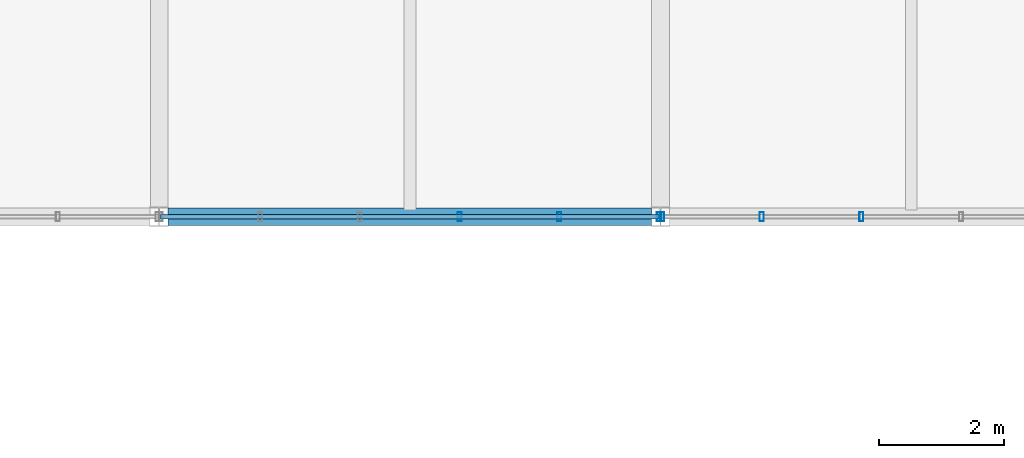
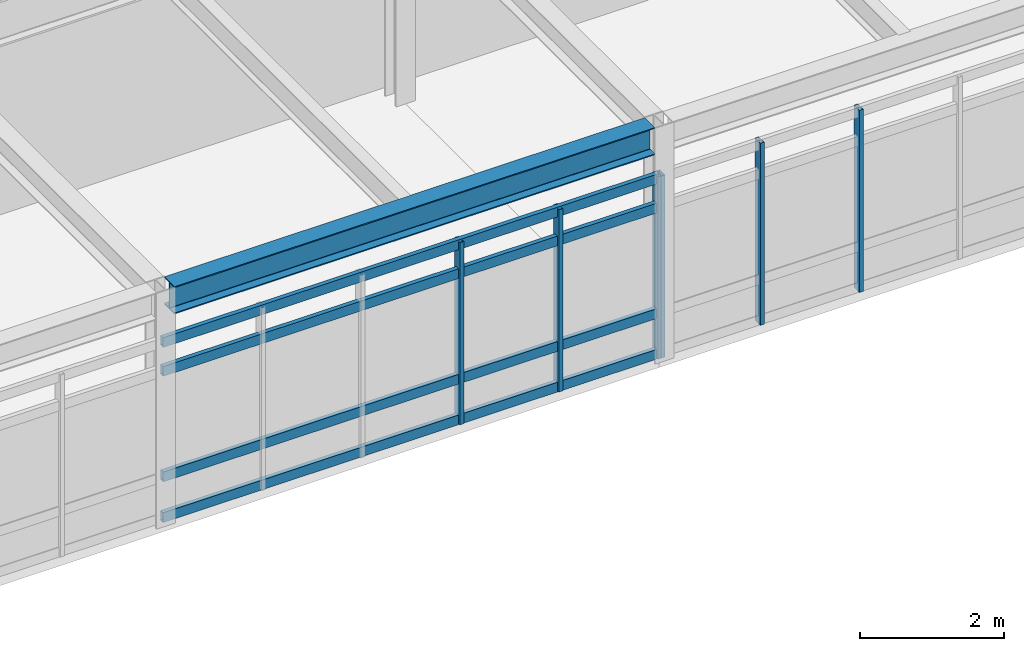
# One storey, part 23 of 45: 10 members, 1 beam, 2 elements without a shape of their own.
"""IFC4 building model written with IfcOpenShell, lengths in metres."""

import ifcopenshell
import ifcopenshell.guid

model = None  # the IFC model being written
_history = None  # IfcOwnerHistory: only IFC2X3 demands one
_inside = {}  # id of a spatial element -> (the spatial element, [elements in it])
_under = {}  # id of a project, library or spatial element -> (it, [spatial elements below it])
_declared = {}  # id of a project -> (the project, [libraries it declares])
_typed = {}  # id of a type object -> (the type object, [elements of that type])
_made_of = {}  # id of a material, layer set ... -> (it, [elements and type objects made of it])


def new_model(schema):
    """Start an empty IFC model of exactly this schema.

    Asked for "IFC4X3", IfcOpenShell would pick the latest addendum, in which some entities
    have other attributes; the version numbers below select the first issue.
    IFC2X3 requires an IfcOwnerHistory on every rooted entity: one is made here for all.
    """
    global model, _history
    if schema == "IFC4X3":
        model = ifcopenshell.file(schema_version=(4, 3, 0, 0))
    else:
        model = ifcopenshell.file(schema=schema)
    _inside.clear()
    _under.clear()
    _declared.clear()
    _typed.clear()
    _made_of.clear()
    _history = None
    if model.schema == "IFC2X3":
        org = make("IfcOrganization", Name="unknown")
        user = make(
            "IfcPersonAndOrganization",
            ThePerson=make("IfcPerson", FamilyName="unknown"),
            TheOrganization=org,
        )
        app = make(
            "IfcApplication",
            ApplicationDeveloper=org,
            Version="unknown",
            ApplicationFullName="unknown",
            ApplicationIdentifier="unknown",
        )
        _history = make(
            "IfcOwnerHistory",
            OwningUser=user,
            OwningApplication=app,
            ChangeAction="ADDED",
            CreationDate=0,
        )
    return model


def make(cls, **values):
    """One entity of the class cls with the attributes given. An attribute that is None is left unset."""
    return model.create_entity(
        cls, **{name: value for name, value in values.items() if value is not None}
    )


def rooted(cls, **values):
    """An entity with a GlobalId (a new one), such as an element, a storey or a relation."""
    return make(cls, GlobalId=ifcopenshell.guid.new(), OwnerHistory=_history, **values)


def si_unit(unit_type, name, prefix=None):
    """IfcSIUnit, for example si_unit("LENGTHUNIT", "METRE", prefix="MILLI")."""
    return make("IfcSIUnit", UnitType=unit_type, Prefix=prefix, Name=name)


def assignment(units):
    """IfcUnitAssignment: the units of a project."""
    return None if units is None else make("IfcUnitAssignment", Units=units)


def point(xyz):
    """IfcCartesianPoint."""
    return None if xyz is None else make("IfcCartesianPoint", Coordinates=xyz)


def direction(xyz):
    """IfcDirection."""
    return None if xyz is None else make("IfcDirection", DirectionRatios=xyz)


def frame(location, z_axis=None, x_axis=None):
    """IfcAxis2Placement3D, a coordinate frame: its origin and axes. An axis left out is left unset."""
    return make(
        "IfcAxis2Placement3D",
        Location=point(location),
        Axis=direction(z_axis),
        RefDirection=direction(x_axis),
    )


def frame_2d(location, x_axis=None):
    """IfcAxis2Placement2D, a coordinate frame in the plane: its origin and x axis."""
    return make(
        "IfcAxis2Placement2D", Location=point(location), RefDirection=direction(x_axis)
    )


def origin():
    """The frame at (0, 0, 0) with its axes left unset."""
    return frame((0.0, 0.0, 0.0))


def origin_2d():
    """The frame at (0, 0) in the plane with its x axis left unset."""
    return frame_2d((0.0, 0.0))


def place(relative_to, where):
    """IfcLocalPlacement: puts the frame where relative to a parent placement (None: the world)."""
    return make(
        "IfcLocalPlacement", PlacementRelTo=relative_to, RelativePlacement=where
    )


def context(
    kind, dimensions, precision=None, world=None, true_north=None, identifier=None
):
    """IfcGeometricRepresentationContext, for example the 3D "Model" context."""
    return make(
        "IfcGeometricRepresentationContext",
        ContextIdentifier=identifier,
        ContextType=kind,
        CoordinateSpaceDimension=dimensions,
        Precision=precision,
        WorldCoordinateSystem=world,
        TrueNorth=true_north,
    )


def subcontext(parent, identifier, kind, view, scale=None):
    """IfcGeometricRepresentationSubContext, for example "Body" below "Model"."""
    return make(
        "IfcGeometricRepresentationSubContext",
        ContextIdentifier=identifier,
        ContextType=kind,
        ParentContext=parent,
        TargetScale=scale,
        TargetView=view,
    )


def project(units=None, contexts=None):
    """IfcProject with its units and contexts."""
    return rooted(
        "IfcProject",
        Name="project",
        RepresentationContexts=contexts,
        UnitsInContext=assignment(units),
    )


def spatial(cls, under=None, at=None, **own):
    """A site, building, storey or space (cls), placed at a placement, below another one or the project."""
    s = rooted(cls, ObjectPlacement=at, **own)
    if under is not None:
        _under.setdefault(under.id(), (under, []))[1].append(s)
    return s


def profile(cls, at=None, kind="AREA", **sizes):
    """A parametric profile (cls). Its sizes go by their IFC names, for example OverallWidth=200.0."""
    return make(cls, ProfileType=kind, Position=at, **sizes)


def hollow_rectangle(**sizes):
    """IfcRectangleHollowProfileDef."""
    return profile("IfcRectangleHollowProfileDef", **sizes)


def i_section(**sizes):
    """IfcIShapeProfileDef."""
    return profile("IfcIShapeProfileDef", **sizes)


def extrude(swept, where, along, depth):
    """IfcExtrudedAreaSolid: the profile swept, set in the frame where, extruded along a direction by depth."""
    return make(
        "IfcExtrudedAreaSolid",
        SweptArea=swept,
        Position=where,
        ExtrudedDirection=direction(along),
        Depth=depth,
    )


def shape(context_of_items, identifier, shape_type, items):
    """IfcShapeRepresentation: the items that make up one representation, for example the "Body"."""
    return make(
        "IfcShapeRepresentation",
        ContextOfItems=context_of_items,
        RepresentationIdentifier=identifier,
        RepresentationType=shape_type,
        Items=items,
    )


def material(Name=None, Category=None):
    """IfcMaterial."""
    return make("IfcMaterial", Name=Name, Category=Category)


def material_profile(
    of_material, cross_section, Name=None, Category=None, Priority=None
):
    """IfcMaterialProfile: a cross section and its material."""
    return make(
        "IfcMaterialProfile",
        Name=Name,
        Material=of_material,
        Profile=cross_section,
        Priority=Priority,
        Category=Category,
    )


def profile_set(profiles, Name=None, composite=None):
    """IfcMaterialProfileSet."""
    return make(
        "IfcMaterialProfileSet",
        Name=Name,
        MaterialProfiles=profiles,
        CompositeProfile=composite,
    )


def made_of(thing, what):
    """Note that an element or type object is made of a material, layer set ...; save() writes the relation."""
    if what is not None:
        _made_of.setdefault(what.id(), (what, []))[1].append(thing)
    return thing


def type_object(cls, material=None, **own):
    """A type object (cls), such as IfcWallType, which elements share."""
    return made_of(rooted(cls, **own), material)


def element(
    cls,
    number,
    at=None,
    inside=None,
    cuts=None,
    type_object=None,
    material=None,
    context=None,
    identifier="Body",
    shape_type=None,
    held_by="IfcProductDefinitionShape",
    body=None,
    shapes=None,
    **own,
):
    """One element of the class cls, such as IfcWall. Its Tag is "e" and its number.

    at: its placement. inside: the storey or other place that contains it. cuts: it is an
    opening in that element (IfcRelVoidsElement). A single representation is given by context,
    identifier, shape_type and body (its items); several are given by shapes. held_by: the class
    of the entity that holds the representations. save() writes the other relations.
    """
    e = rooted(cls, Tag="e%d" % number, ObjectPlacement=at, **own)
    if body is not None:
        shapes = [shape(context, identifier, shape_type, body)]
    if shapes is not None:
        e.Representation = make(held_by, Representations=shapes)
    if inside is not None:
        _inside.setdefault(inside.id(), (inside, []))[1].append(e)
    if cuts is not None:
        rooted(
            "IfcRelVoidsElement", RelatingBuildingElement=cuts, RelatedOpeningElement=e
        )
    if type_object is not None:
        _typed.setdefault(type_object.id(), (type_object, []))[1].append(e)
    return made_of(e, material)


def aggregate(whole, parts):
    """IfcRelAggregates: a whole, such as a stair, and the parts it consists of."""
    return rooted("IfcRelAggregates", RelatingObject=whole, RelatedObjects=parts)


def save(model, path):
    """Write the relations noted so far, then the file.

    IfcRelAggregates (storeys below a building ...), IfcRelContainedInSpatialStructure (elements
    in a storey), IfcRelDefinesByType, IfcRelAssociatesMaterial and IfcRelDeclares: one each for
    every whole, place, type object, material and project.
    """
    for whole, parts in _under.values():
        aggregate(whole, parts)
    for where, things in _inside.values():
        rooted(
            "IfcRelContainedInSpatialStructure",
            RelatedElements=things,
            RelatingStructure=where,
        )
    for kind, things in _typed.values():
        rooted("IfcRelDefinesByType", RelatedObjects=things, RelatingType=kind)
    for what, things in _made_of.values():
        rooted("IfcRelAssociatesMaterial", RelatedObjects=things, RelatingMaterial=what)
    for by, libraries in _declared.values():
        rooted("IfcRelDeclares", RelatingContext=by, RelatedDefinitions=libraries)
    model.write(path)


model = new_model("IFC4")

# Units and contexts
model_context = context("Model", 3, precision=1e-05, world=origin(), true_north=direction((0.0, 1.0)))
body_context = subcontext(model_context, "Body", "Model", "MODEL_VIEW")
ifc_project = project(units=[si_unit("LENGTHUNIT", "METRE"), si_unit("AREAUNIT", "SQUARE_METRE"), si_unit("VOLUMEUNIT", "CUBIC_METRE"), si_unit("PLANEANGLEUNIT", "RADIAN"), si_unit("MASSUNIT", "GRAM", prefix="KILO")], contexts=[model_context])

# Site, building, storey
site_placement = place(None, origin())
site = spatial("IfcSite", under=ifc_project, at=site_placement, CompositionType="ELEMENT")
building_placement = place(site_placement, origin())
building = spatial("IfcBuilding", under=site, at=building_placement, Name="Zulena Civic Courthouse", CompositionType="ELEMENT")
storey_placement = place(building_placement, frame((0.0, 0.0, 29.39990234375)))
storey = spatial("IfcBuildingStorey", under=building, at=storey_placement, Name="L06", CompositionType="ELEMENT", Elevation=29.39990234375)

# Curtain wall, members
ifc_material_1 = material(Name="Double-silver low-E laminated solar-control glass", Category="glass")
curtain_wall_type = type_object("IfcCurtainWallType", Name="CW_7952x3090", PredefinedType="USERDEFINED", material=ifc_material_1)
curtain_wall_1_placement = place(storey_placement, origin())
curtain_wall_1 = element("IfcCurtainWall", 1, at=curtain_wall_1_placement, inside=storey, type_object=curtain_wall_type, Name="cw:V5:L06:5:3", ObjectType="UNITISED CURTAIN WALL", PredefinedType="USERDEFINED")
ifc_material_2 = material(Name="Bronze anodised thermally broken aluminium AA6063-T6", Category="aluminium")
ifc_material_profile_1 = material_profile(ifc_material_2, hollow_rectangle(XDim=0.06494140625, YDim=0.14990234375, WallThickness=0.00390625, at=origin_2d()), Name="CWM150X65X4")
ifc_profile_set_1 = profile_set([ifc_material_profile_1], Name="Bronze anodised thermally broken aluminium AA6063-T6")
member_type_1 = type_object("IfcMemberType", Name="CWMullion_150x65", PredefinedType="MULLION", material=ifc_profile_set_1)
member_1_placement = place(storey_placement, frame((71.204833984375, 46.0, 0.0), z_axis=(0.0, 0.0, 1.0), x_axis=(1.0, 0.0, 0.0)))
member_1 = element("IfcMember", 2, at=member_1_placement, type_object=member_type_1, Name="cw:V5:L06:5:3:mull:3", PredefinedType="MULLION", context=body_context, shape_type="SweptSolid", body=[
    extrude(hollow_rectangle(XDim=0.06494140625, YDim=0.14990234375, WallThickness=0.00390625, at=origin_2d()), origin(), (0.0, 0.0, 1.0), 3.090087890625),
])
member_2_placement = place(storey_placement, frame((69.614501953125, 46.0, 0.0), z_axis=(0.0, 0.0, 1.0), x_axis=(1.0, 0.0, 0.0)))
member_2 = element("IfcMember", 3, at=member_2_placement, type_object=member_type_1, Name="cw:V5:L06:5:3:mull:4", PredefinedType="MULLION", context=body_context, shape_type="SweptSolid", body=[
    extrude(hollow_rectangle(XDim=0.06494140625, YDim=0.14990234375, WallThickness=0.00390625, at=origin_2d()), origin(), (0.0, 0.0, 1.0), 3.090087890625),
])
member_3_placement = place(storey_placement, frame((68.02392578125, 46.0, 0.0), z_axis=(0.0, 0.0, 1.0), x_axis=(1.0, 0.0, 0.0)))
member_3 = element("IfcMember", 4, at=member_3_placement, type_object=member_type_1, Name="cw:V5:L06:5:3:mull:5", PredefinedType="MULLION", context=body_context, shape_type="SweptSolid", body=[
    extrude(hollow_rectangle(XDim=0.06494140625, YDim=0.14990234375, WallThickness=0.00390625, at=origin_2d()), origin(), (0.0, 0.0, 1.0), 3.090087890625),
])
aggregate(curtain_wall_1, [member_1, member_2, member_3])

curtain_wall_2_placement = place(storey_placement, origin())
curtain_wall_2 = element("IfcCurtainWall", 5, at=curtain_wall_2_placement, inside=storey, type_object=curtain_wall_type, Name="cw:V5:L06:5:4", ObjectType="UNITISED CURTAIN WALL", PredefinedType="USERDEFINED")
member_4_placement = place(storey_placement, frame((67.97607421875, 46.0, 0.0), z_axis=(0.0, 0.0, 1.0), x_axis=(1.0, 0.0, 0.0)))
member_4 = element("IfcMember", 6, at=member_4_placement, type_object=member_type_1, Name="cw:V5:L06:5:4:mull:0", PredefinedType="MULLION", context=body_context, shape_type="SweptSolid", body=[
    extrude(hollow_rectangle(XDim=0.06494140625, YDim=0.14990234375, WallThickness=0.00390625, at=origin_2d()), origin(), (0.0, 0.0, 1.0), 3.090087890625),
])
member_5_placement = place(storey_placement, frame((66.385498046875, 46.0, 0.0), z_axis=(0.0, 0.0, 1.0), x_axis=(1.0, 0.0, 0.0)))
member_5 = element("IfcMember", 7, at=member_5_placement, type_object=member_type_1, Name="cw:V5:L06:5:4:mull:1", PredefinedType="MULLION", context=body_context, shape_type="SweptSolid", body=[
    extrude(hollow_rectangle(XDim=0.06494140625, YDim=0.14990234375, WallThickness=0.00390625, at=origin_2d()), origin(), (0.0, 0.0, 1.0), 3.090087890625),
])
member_6_placement = place(storey_placement, frame((64.795166015625, 46.0, 0.0), z_axis=(0.0, 0.0, 1.0), x_axis=(1.0, 0.0, 0.0)))
member_6 = element("IfcMember", 8, at=member_6_placement, type_object=member_type_1, Name="cw:V5:L06:5:4:mull:2", PredefinedType="MULLION", context=body_context, shape_type="SweptSolid", body=[
    extrude(hollow_rectangle(XDim=0.06494140625, YDim=0.14990234375, WallThickness=0.00390625, at=origin_2d()), origin(), (0.0, 0.0, 1.0), 3.090087890625),
])
ifc_material_profile_2 = material_profile(ifc_material_2, hollow_rectangle(XDim=0.070068359375, YDim=0.1650390625, WallThickness=0.00390625, at=origin_2d()), Name="CWT165X70X4")
ifc_profile_set_2 = profile_set([ifc_material_profile_2], Name="Bronze anodised thermally broken aluminium AA6063-T6")
member_type_2 = type_object("IfcMemberType", Name="CWTransom_165x70", PredefinedType="USERDEFINED", material=ifc_profile_set_2)
member_7_placement = place(storey_placement, frame((67.97607421875, 46.0, 0.06005859375), z_axis=(-1.0, 0.0, 0.0), x_axis=(0.0, -1.0, 0.0)))
member_7 = element("IfcMember", 9, at=member_7_placement, type_object=member_type_2, Name="cw:V5:L06:5:4:tran:0", ObjectType="TRANSOM", PredefinedType="USERDEFINED", context=body_context, shape_type="SweptSolid", body=[
    extrude(hollow_rectangle(XDim=0.070068359375, YDim=0.1650390625, WallThickness=0.00390625, at=origin_2d()), origin(), (0.0, 0.0, 1.0), 7.9521484375),
])
member_8_placement = place(storey_placement, frame((67.97607421875, 46.0, 0.75), z_axis=(-1.0, 0.0, 0.0), x_axis=(0.0, -1.0, 0.0)))
member_8 = element("IfcMember", 10, at=member_8_placement, type_object=member_type_2, Name="cw:V5:L06:5:4:tran:1", ObjectType="TRANSOM", PredefinedType="USERDEFINED", context=body_context, shape_type="SweptSolid", body=[
    extrude(hollow_rectangle(XDim=0.070068359375, YDim=0.1650390625, WallThickness=0.00390625, at=origin_2d()), origin(), (0.0, 0.0, 1.0), 7.9521484375),
])
member_9_placement = place(storey_placement, frame((67.97607421875, 46.0, 2.5400390625), z_axis=(-1.0, 0.0, 0.0), x_axis=(0.0, -1.0, 0.0)))
member_9 = element("IfcMember", 11, at=member_9_placement, type_object=member_type_2, Name="cw:V5:L06:5:4:tran:2", ObjectType="TRANSOM", PredefinedType="USERDEFINED", context=body_context, shape_type="SweptSolid", body=[
    extrude(hollow_rectangle(XDim=0.070068359375, YDim=0.1650390625, WallThickness=0.00390625, at=origin_2d()), origin(), (0.0, 0.0, 1.0), 7.9521484375),
])
member_10_placement = place(storey_placement, frame((67.97607421875, 46.0, 3.030029296875), z_axis=(-1.0, 0.0, 0.0), x_axis=(0.0, -1.0, 0.0)))
member_10 = element("IfcMember", 12, at=member_10_placement, type_object=member_type_2, Name="cw:V5:L06:5:4:tran:3", ObjectType="TRANSOM", PredefinedType="USERDEFINED", context=body_context, shape_type="SweptSolid", body=[
    extrude(hollow_rectangle(XDim=0.070068359375, YDim=0.1650390625, WallThickness=0.00390625, at=origin_2d()), origin(), (0.0, 0.0, 1.0), 7.9521484375),
])
aggregate(curtain_wall_2, [member_4, member_5, member_6, member_7, member_8, member_9, member_10])

# Beam
ifc_material_3 = material(Name="Steel ASTM A992 Grade 50", Category="steel")
ifc_material_profile_3 = material_profile(ifc_material_3, i_section(OverallWidth=0.280029296875, OverallDepth=0.462890625, WebThickness=0.0107421875, FlangeThickness=0.017333984375, FilletRadius=0.01025390625, at=origin_2d()), Name="W18X76")
ifc_profile_set_3 = profile_set([ifc_material_profile_3], Name="Steel ASTM A992 Grade 50")
beam_type = type_object("IfcBeamType", Name="Spandrel_W18X76", PredefinedType="SPANDREL", material=ifc_profile_set_3)
beam_placement = place(storey_placement, frame((60.14501953125, 46.0, 3.7685546875), z_axis=(1.0, 0.0, 0.0), x_axis=(0.0, 1.0, 0.0)))
element("IfcBeam", 13, at=beam_placement, inside=storey, type_object=beam_type, Name="beam:X:V5:L06:46.0:60.0_68.0", PredefinedType="SPANDREL", context=body_context, shape_type="SweptSolid", body=[
    extrude(i_section(OverallWidth=0.280029296875, OverallDepth=0.462890625, WebThickness=0.0107421875, FlangeThickness=0.017333984375, FilletRadius=0.01025390625, at=origin_2d()), origin(), (0.0, 0.0, 1.0), 7.7099609375),
])

save(model, "model.ifc")
